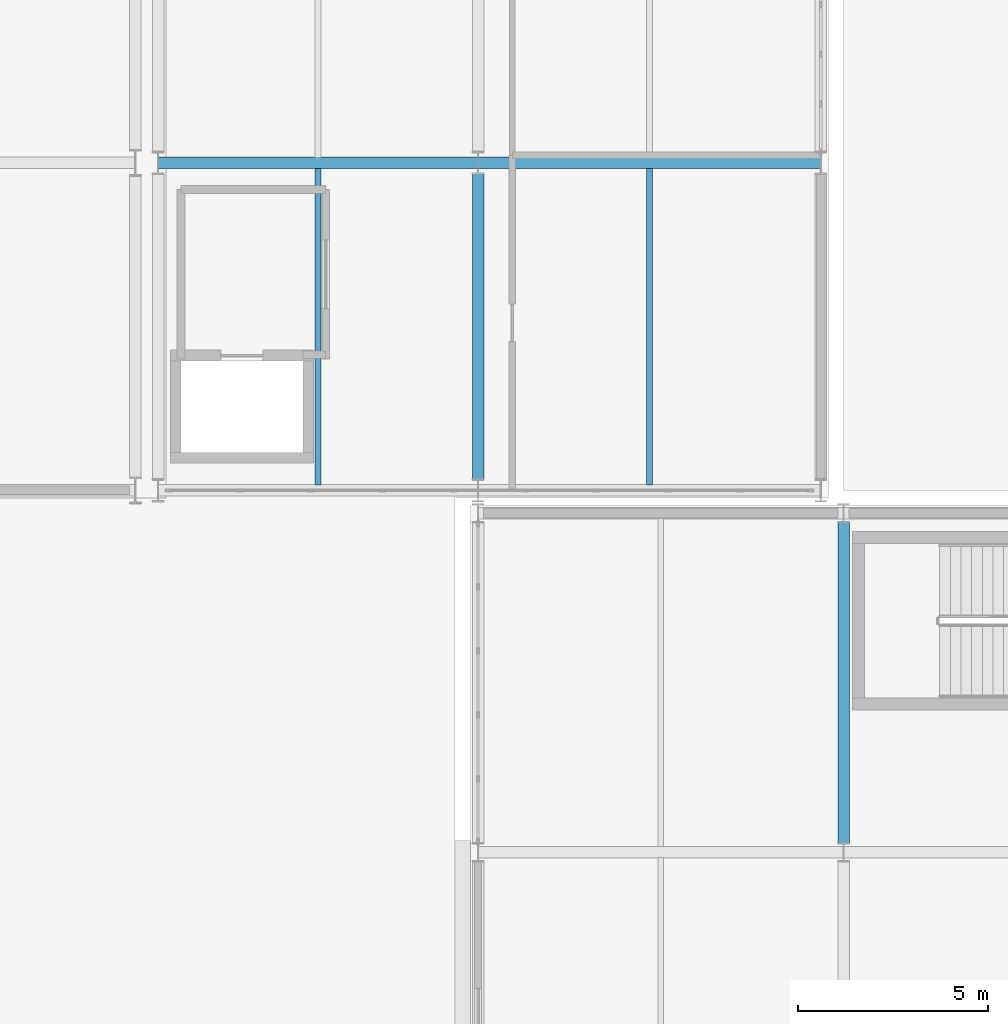
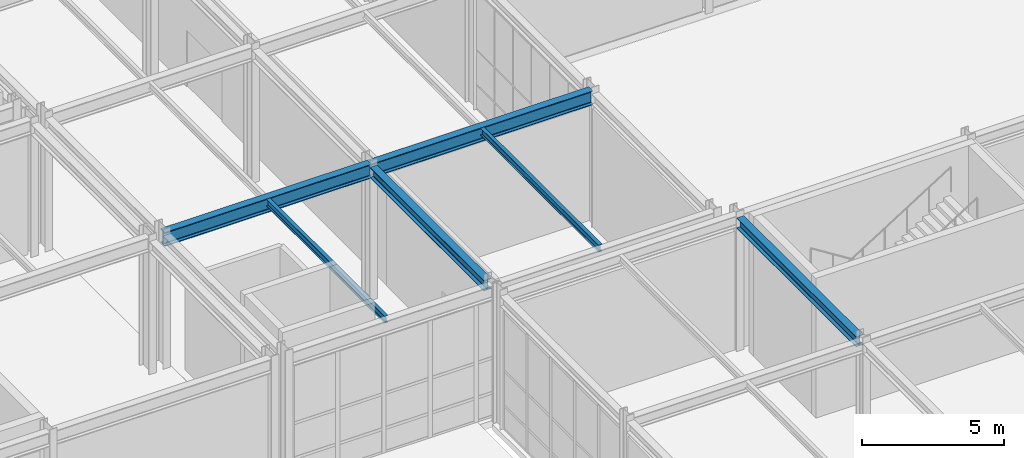
# One storey, part 77 of 146: 6 beams.
"""IFC4 building model written with IfcOpenShell, lengths in metres."""

from ifc_helpers import new_model, si_unit, direction, frame, origin, origin_2d, place, context, subcontext, project, spatial, i_section, extrude, material, material_profile, profile_set, type_object, element, save


model = new_model("IFC4")

# Units and contexts
model_context = context("Model", 3, precision=1e-05, world=origin(), true_north=direction((0.0, 1.0)))
body_context = subcontext(model_context, "Body", "Model", "MODEL_VIEW")
ifc_project = project(units=[si_unit("LENGTHUNIT", "METRE"), si_unit("AREAUNIT", "SQUARE_METRE"), si_unit("VOLUMEUNIT", "CUBIC_METRE"), si_unit("PLANEANGLEUNIT", "RADIAN"), si_unit("MASSUNIT", "GRAM", prefix="KILO")], contexts=[model_context])

# Site, building, storey
site_placement = place(None, origin())
site = spatial("IfcSite", under=ifc_project, at=site_placement, CompositionType="ELEMENT")
building_placement = place(site_placement, origin())
building = spatial("IfcBuilding", under=site, at=building_placement, Name="Kaldris Quays Convention Centre", CompositionType="ELEMENT")
storey_placement = place(building_placement, origin())
storey = spatial("IfcBuildingStorey", under=building, at=storey_placement, Name="L00", CompositionType="ELEMENT", Elevation=0.0)

# Beams
ifc_material = material(Name="Steel S355J2", Category="steel")
ifc_material_profile_1 = material_profile(ifc_material, i_section(OverallWidth=0.300048828125, OverallDepth=0.60009765625, WebThickness=0.015380859375, FlangeThickness=0.030029296875, FilletRadius=0.027099609375, at=origin_2d()), Name="HEB 600")
ifc_profile_set_1 = profile_set([ifc_material_profile_1], Name="Steel S355J2")
beam_type_1 = type_object("IfcBeamType", Name="STRUCTURAL BEAM BM05", PredefinedType="BEAM", material=ifc_profile_set_1)
beam_1_placement = place(storey_placement, frame((146.601806640625, 46.60009765625, 5.423095703125), z_axis=(1.0, 0.0, 0.0), x_axis=(0.0, 1.0, 0.0)))
element("IfcBeam", 1, at=beam_1_placement, inside=storey, type_object=beam_type_1, Name="L00 Girder BM05 17", PredefinedType="BEAM", context=body_context, shape_type="SweptSolid", body=[
    extrude(i_section(OverallWidth=0.300048828125, OverallDepth=0.60009765625, WebThickness=0.015380859375, FlangeThickness=0.030029296875, FilletRadius=0.027099609375, at=origin_2d()), origin(), (0.0, 0.0, 1.0), 8.396484375),
])
beam_2_placement = place(storey_placement, frame((155.001708984375, 46.60009765625, 5.423095703125), z_axis=(1.0, 0.0, 0.0), x_axis=(0.0, 1.0, 0.0)))
element("IfcBeam", 2, at=beam_2_placement, inside=storey, type_object=beam_type_1, Name="L00 Girder BM05 18", PredefinedType="BEAM", context=body_context, shape_type="SweptSolid", body=[
    extrude(i_section(OverallWidth=0.300048828125, OverallDepth=0.60009765625, WebThickness=0.015380859375, FlangeThickness=0.030029296875, FilletRadius=0.027099609375, at=origin_2d()), origin(), (0.0, 0.0, 1.0), 8.99658203125),
])
ifc_material_profile_2 = material_profile(ifc_material, i_section(OverallWidth=0.300048828125, OverallDepth=0.449951171875, WebThickness=0.013916015625, FlangeThickness=0.02587890625, FilletRadius=0.027099609375, at=origin_2d()), Name="HEB 450")
ifc_profile_set_2 = profile_set([ifc_material_profile_2], Name="Steel S355J2")
beam_type_2 = type_object("IfcBeamType", Name="STRUCTURAL BEAM BM07", PredefinedType="BEAM", material=ifc_profile_set_2)
beam_3_placement = place(storey_placement, frame((155.0, 38.2939453125, 5.498046875), z_axis=(0.0, 1.0, 0.0), x_axis=(-1.0, 0.0, 0.0)))
element("IfcBeam", 3, at=beam_3_placement, inside=storey, type_object=beam_type_2, Name="L00 Girder BM07 78", PredefinedType="BEAM", context=body_context, shape_type="SweptSolid", body=[
    extrude(i_section(OverallWidth=0.300048828125, OverallDepth=0.449951171875, WebThickness=0.013916015625, FlangeThickness=0.02587890625, FilletRadius=0.027099609375, at=origin_2d()), origin(), (0.0, 0.0, 1.0), 8.011962890625),
])
ifc_material_profile_3 = material_profile(ifc_material, i_section(OverallWidth=0.300048828125, OverallDepth=0.43994140625, WebThickness=0.011474609375, FlangeThickness=0.02099609375, FilletRadius=0.027099609375, at=origin_2d()), Name="HEA 450")
ifc_profile_set_3 = profile_set([ifc_material_profile_3], Name="Steel S355J2")
beam_type_3 = type_object("IfcBeamType", Name="STRUCTURAL BEAM BM14", PredefinedType="BEAM", material=ifc_profile_set_3)
beam_4_placement = place(storey_placement, frame((164.60009765625, 28.743896484375, 5.52294921875), z_axis=(0.0, 1.0, 0.0), x_axis=(-1.0, 0.0, 0.0)))
element("IfcBeam", 4, at=beam_4_placement, inside=storey, type_object=beam_type_3, Name="L00 Girder BM14 26", PredefinedType="BEAM", context=body_context, shape_type="SweptSolid", body=[
    extrude(i_section(OverallWidth=0.300048828125, OverallDepth=0.43994140625, WebThickness=0.011474609375, FlangeThickness=0.02099609375, FilletRadius=0.027099609375, at=origin_2d()), origin(), (0.0, 0.0, 1.0), 8.412109375),
])
ifc_material_profile_4 = material_profile(ifc_material, i_section(OverallWidth=0.14990234375, OverallDepth=0.300048828125, WebThickness=0.007080078125, FlangeThickness=0.0107421875, FilletRadius=0.014892578125, at=origin_2d()), Name="IPE 300")
ifc_profile_set_4 = profile_set([ifc_material_profile_4], Name="Steel S355J2")
beam_type_4 = type_object("IfcBeamType", Name="STRUCTURAL BEAM JT04", PredefinedType="JOIST", material=ifc_profile_set_4)
for number, where, z_axis, x_axis, name in (
    (5, (150.800048828125, 38.14404296875, 5.572998046875), (0.0, 1.0, 0.0), (-1.0, 0.0, 0.0), "L00 Secondary Joist JT04 1"),
    (6, (159.5, 38.14404296875, 5.572998046875), (0.0, 1.0, 0.0), (-1.0, 0.0, 0.0), "L00 Secondary Joist JT04 2"),
):
    element("IfcBeam", number, at=place(storey_placement, frame(where, z_axis=z_axis, x_axis=x_axis)), inside=storey, type_object=beam_type_4, Name=name, PredefinedType="JOIST", context=body_context, shape_type="SweptSolid", body=[
        extrude(i_section(OverallWidth=0.14990234375, OverallDepth=0.300048828125, WebThickness=0.007080078125, FlangeThickness=0.0107421875, FilletRadius=0.014892578125, at=origin_2d()), origin(), (0.0, 0.0, 1.0), 8.31201171875),
    ])

save(model, "model.ifc")
